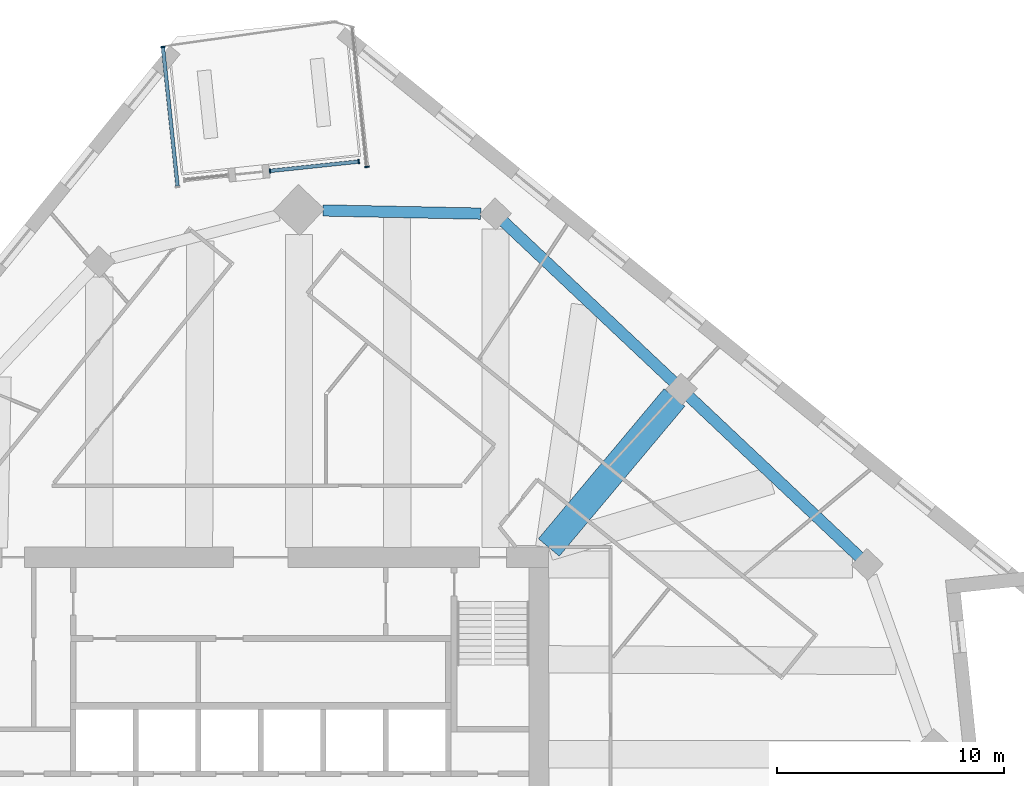
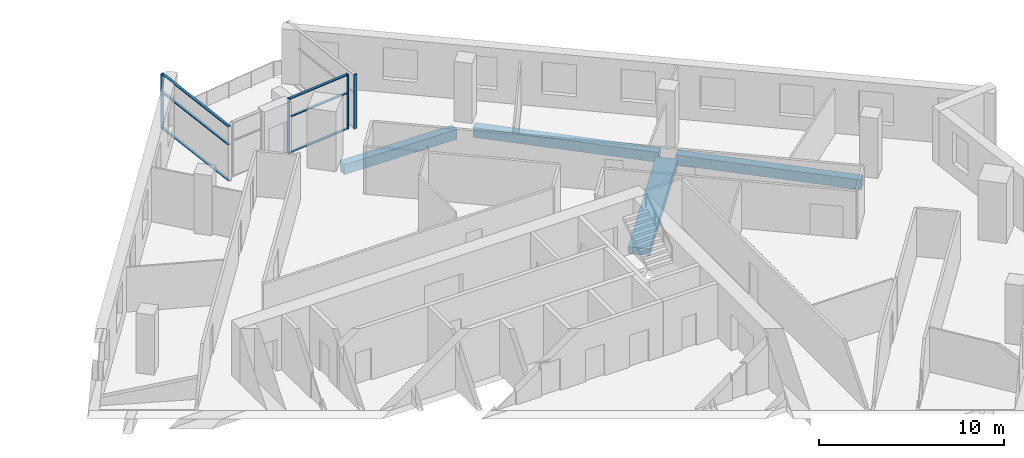
# One storey, part 4 of 14: 10 members, 4 beams, 3 elements without a shape of their own.
"""IFC4 building model written with IfcOpenShell, lengths in metres."""

from ifc_helpers import new_model, si_unit, direction, frame, origin, origin_2d, place, context, subcontext, project, spatial, rectangle, extrude, material, material_profile, profile_set, type_object, element, aggregate, save


model = new_model("IFC4")

# Units and contexts
model_context = context("Model", 3, precision=1e-05, world=origin(), true_north=direction((0.0, 1.0)))
body_context = subcontext(model_context, "Body", "Model", "MODEL_VIEW")
ifc_project = project(units=[si_unit("LENGTHUNIT", "METRE"), si_unit("AREAUNIT", "SQUARE_METRE"), si_unit("VOLUMEUNIT", "CUBIC_METRE"), si_unit("PLANEANGLEUNIT", "RADIAN"), si_unit("MASSUNIT", "GRAM", prefix="KILO")], contexts=[model_context])

# Site, building, storey
site_placement = place(None, origin())
site = spatial("IfcSite", under=ifc_project, at=site_placement, CompositionType="ELEMENT")
building_placement = place(site_placement, origin())
building = spatial("IfcBuilding", under=site, at=building_placement, Name="Dilmun Exchange Tower", CompositionType="ELEMENT")
storey_placement = place(building_placement, frame((0.0, 0.0, 225.300048828125)))
storey = spatial("IfcBuildingStorey", under=building, at=storey_placement, Name="L53", CompositionType="ELEMENT", Elevation=225.300048828125)

# Curtain wall, member
ifc_material_1 = material(Name="Anodised aluminium and clear glass", Category="aluminium")
curtain_wall_type = type_object("IfcCurtainWallType", Name="Garden corner glazing", PredefinedType="NOTDEFINED", material=ifc_material_1)
curtain_wall_1_placement = place(storey_placement, origin())
curtain_wall_1 = element("IfcCurtainWall", 1, at=curtain_wall_1_placement, inside=storey, type_object=curtain_wall_type, Name="Garden corner glazing run GC1.1", PredefinedType="NOTDEFINED")
ifc_material_2 = material(Name="Anodised aluminium", Category="aluminium")
ifc_material_profile_1 = material_profile(ifc_material_2, rectangle(XDim=0.199951171875, YDim=0.06005859375, at=origin_2d()), Name="AL 60x200")
ifc_profile_set_1 = profile_set([ifc_material_profile_1], Name="Anodised aluminium")
member_type_1 = type_object("IfcMemberType", Name="Garden corner glazing mullion 60 x 200", PredefinedType="MULLION", material=ifc_profile_set_1)
member_1_placement = place(storey_placement, frame((4.673583984375, 29.43505859375, 0.0), z_axis=(0.0, 0.0, 1.0), x_axis=(0.994520705874, 0.104539779931, 0.0)))
member_1 = element("IfcMember", 2, at=member_1_placement, type_object=member_type_1, Name="GC1.1 mullion 2", PredefinedType="MULLION", context=body_context, shape_type="SweptSolid", body=[
    extrude(rectangle(XDim=0.199951171875, YDim=0.06005859375, at=origin_2d()), origin(), (0.0, 0.0, 1.0), 3.619873046875),
])
aggregate(curtain_wall_1, [member_1])

# Curtain wall, members
curtain_wall_2_placement = place(storey_placement, origin())
curtain_wall_2 = element("IfcCurtainWall", 3, at=curtain_wall_2_placement, inside=storey, type_object=curtain_wall_type, Name="Garden corner glazing run GC2.1", PredefinedType="NOTDEFINED")
member_2_placement = place(storey_placement, frame((4.31689453125, 29.669189453125, 0.0), z_axis=(0.0, 0.0, 1.0), x_axis=(0.104536020157, -0.994521101078, 0.0)))
member_2 = element("IfcMember", 4, at=member_2_placement, type_object=member_type_1, Name="GC2.1 mullion 1", PredefinedType="MULLION", context=body_context, shape_type="SweptSolid", body=[
    extrude(rectangle(XDim=0.199951171875, YDim=0.06005859375, at=origin_2d()), origin(), (0.0, 0.0, 1.0), 3.619873046875),
])
member_3_placement = place(storey_placement, frame((0.409423828125, 29.258544921875, 0.0), z_axis=(0.0, 0.0, 1.0), x_axis=(0.104536020157, -0.994521101078, 0.0)))
member_3 = element("IfcMember", 5, at=member_3_placement, type_object=member_type_1, Name="GC2.1 mullion 2", PredefinedType="MULLION", context=body_context, shape_type="SweptSolid", body=[
    extrude(rectangle(XDim=0.199951171875, YDim=0.06005859375, at=origin_2d()), origin(), (0.0, 0.0, 1.0), 3.619873046875),
])

# Curtain wall, member
curtain_wall_3_placement = place(storey_placement, origin())
curtain_wall_3 = element("IfcCurtainWall", 6, at=curtain_wall_3_placement, inside=storey, type_object=curtain_wall_type, Name="Garden corner glazing run GC3.1", PredefinedType="NOTDEFINED")
member_4_placement = place(storey_placement, frame((-4.3056640625, 34.7119140625, 0.0), z_axis=(0.0, 0.0, 1.0), x_axis=(-0.994520705874, -0.104539779931, 0.0)))
member_4 = element("IfcMember", 7, at=member_4_placement, type_object=member_type_1, Name="GC3.1 mullion 2", PredefinedType="MULLION", context=body_context, shape_type="SweptSolid", body=[
    extrude(rectangle(XDim=0.199951171875, YDim=0.06005859375, at=origin_2d()), origin(), (0.0, 0.0, 1.0), 3.619873046875),
])

# Member
ifc_material_profile_2 = material_profile(ifc_material_2, rectangle(XDim=0.159912109375, YDim=0.06005859375, at=origin_2d()), Name="AL 60x160")
ifc_profile_set_2 = profile_set([ifc_material_profile_2], Name="Anodised aluminium")
member_type_2 = type_object("IfcMemberType", Name="Garden corner glazing transom 60 x 160", PredefinedType="USERDEFINED", material=ifc_profile_set_2)
member_5_placement = place(storey_placement, frame((4.287109375, 29.666015625, 0.030029296875), z_axis=(-0.994518929052, -0.104556682028, 0.0), x_axis=(0.104556682028, -0.994518929052, 0.0)))
member_5 = element("IfcMember", 8, at=member_5_placement, type_object=member_type_2, Name="GC2.1 transom 1.1", ObjectType="TRANSOM", PredefinedType="USERDEFINED", context=body_context, shape_type="SweptSolid", body=[
    extrude(rectangle(XDim=0.159912109375, YDim=0.06005859375, at=origin_2d()), origin(), (0.0, 0.0, 1.0), 3.869140625),
])

member_6_placement = place(storey_placement, frame((4.287109375, 29.666015625, 2.39990234375), z_axis=(-0.994518929052, -0.104556682028, 0.0), x_axis=(0.104556682028, -0.994518929052, 0.0)))
member_6 = element("IfcMember", 9, at=member_6_placement, type_object=member_type_2, Name="GC2.1 transom 1.2", ObjectType="TRANSOM", PredefinedType="USERDEFINED", context=body_context, shape_type="SweptSolid", body=[
    extrude(rectangle(XDim=0.159912109375, YDim=0.06005859375, at=origin_2d()), origin(), (0.0, 0.0, 1.0), 3.869140625),
])

member_7_placement = place(storey_placement, frame((4.287109375, 29.666015625, 3.58984375), z_axis=(-0.994518929052, -0.104556682028, 0.0), x_axis=(0.104556682028, -0.994518929052, 0.0)))
member_7 = element("IfcMember", 10, at=member_7_placement, type_object=member_type_2, Name="GC2.1 transom 1.3", ObjectType="TRANSOM", PredefinedType="USERDEFINED", context=body_context, shape_type="SweptSolid", body=[
    extrude(rectangle(XDim=0.159912109375, YDim=0.06005859375, at=origin_2d()), origin(), (0.0, 0.0, 1.0), 3.869140625),
])

aggregate(curtain_wall_2, [member_2, member_3, member_5, member_6, member_7])

member_8_placement = place(storey_placement, frame((-3.661865234375, 28.589111328125, 0.030029296875), z_axis=(-0.104564471724, 0.994518110068, 0.0), x_axis=(-0.994518110068, -0.104564471724, 0.0)))
member_8 = element("IfcMember", 11, at=member_8_placement, type_object=member_type_2, Name="GC3.1 transom 1.1", ObjectType="TRANSOM", PredefinedType="USERDEFINED", context=body_context, shape_type="SweptSolid", body=[
    extrude(rectangle(XDim=0.159912109375, YDim=0.06005859375, at=origin_2d()), origin(), (0.0, 0.0, 1.0), 6.126708984375),
])

member_9_placement = place(storey_placement, frame((-3.661865234375, 28.589111328125, 2.39990234375), z_axis=(-0.104564471724, 0.994518110068, 0.0), x_axis=(-0.994518110068, -0.104564471724, 0.0)))
member_9 = element("IfcMember", 12, at=member_9_placement, type_object=member_type_2, Name="GC3.1 transom 1.2", ObjectType="TRANSOM", PredefinedType="USERDEFINED", context=body_context, shape_type="SweptSolid", body=[
    extrude(rectangle(XDim=0.159912109375, YDim=0.06005859375, at=origin_2d()), origin(), (0.0, 0.0, 1.0), 6.126708984375),
])

member_10_placement = place(storey_placement, frame((-3.661865234375, 28.589111328125, 3.58984375), z_axis=(-0.104564471724, 0.994518110068, 0.0), x_axis=(-0.994518110068, -0.104564471724, 0.0)))
member_10 = element("IfcMember", 13, at=member_10_placement, type_object=member_type_2, Name="GC3.1 transom 1.3", ObjectType="TRANSOM", PredefinedType="USERDEFINED", context=body_context, shape_type="SweptSolid", body=[
    extrude(rectangle(XDim=0.159912109375, YDim=0.06005859375, at=origin_2d()), origin(), (0.0, 0.0, 1.0), 6.126708984375),
])

aggregate(curtain_wall_3, [member_4, member_8, member_9, member_10])

# Beams
ifc_material_3 = material(Name="Concrete C40/50", Category="concrete")
ifc_material_profile_3 = material_profile(ifc_material_3, rectangle(XDim=1.199951171875, YDim=0.449951171875, at=origin_2d()), Name="1200 x 450")
ifc_profile_set_3 = profile_set([ifc_material_profile_3], Name="Concrete C40/50")
beam_type_1 = type_object("IfcBeamType", Name="RC band beam 1200 x 450 C40/50", PredefinedType="BEAM", material=ifc_profile_set_3)
beam_1_placement = place(storey_placement, frame((18.2158203125, 19.28369140625, -0.705078125), z_axis=(-0.642200063897, -0.766537068856, 0.0), x_axis=(0.766537068856, -0.642200063897, 0.0)))
element("IfcBeam", 14, at=beam_1_placement, inside=storey, type_object=beam_type_1, Name="Band beam 15", PredefinedType="BEAM", context=body_context, shape_type="SweptSolid", body=[
    extrude(rectangle(XDim=1.199951171875, YDim=0.449951171875, at=origin_2d()), origin(), (0.0, 0.0, 1.0), 8.615966796875),
])
ifc_material_profile_4 = material_profile(ifc_material_3, rectangle(XDim=0.5, YDim=0.64990234375, at=origin_2d()), Name="500 x 650")
ifc_profile_set_4 = profile_set([ifc_material_profile_4], Name="Concrete C40/50")
beam_type_2 = type_object("IfcBeamType", Name="RC ring beam 500 x 650 C40/50", PredefinedType="SPANDREL", material=ifc_profile_set_4)
beam_2_placement = place(storey_placement, frame((26.36181640625, 12.25537109375, -0.705078125), z_axis=(-0.727685706374, 0.68591071776, 0.0), x_axis=(-0.68591071776, -0.727685706374, 0.0)))
element("IfcBeam", 15, at=beam_2_placement, inside=storey, type_object=beam_type_2, Name="Ring beam 14", PredefinedType="SPANDREL", context=body_context, shape_type="SweptSolid", body=[
    extrude(rectangle(XDim=0.5, YDim=0.64990234375, at=origin_2d()), origin(), (0.0, 0.0, 1.0), 10.30322265625),
])
beam_3_placement = place(storey_placement, frame((18.17578125, 19.971435546875, -0.705078125), z_axis=(-0.727682990869, 0.685913598641, 0.0), x_axis=(-0.685913598641, -0.727682990869, 0.0)))
element("IfcBeam", 16, at=beam_3_placement, inside=storey, type_object=beam_type_2, Name="Ring beam 15", PredefinedType="SPANDREL", context=body_context, shape_type="SweptSolid", body=[
    extrude(rectangle(XDim=0.5, YDim=0.64990234375, at=origin_2d()), origin(), (0.0, 0.0, 1.0), 10.3046875),
])
beam_4_placement = place(storey_placement, frame((9.685791015625, 27.376953125, -0.705078125), z_axis=(-0.999797424966, 0.020127320539, 0.0), x_axis=(-0.020127320539, -0.999797424966, 0.0)))
element("IfcBeam", 17, at=beam_4_placement, inside=storey, type_object=beam_type_2, Name="Ring beam 16", PredefinedType="SPANDREL", context=body_context, shape_type="SweptSolid", body=[
    extrude(rectangle(XDim=0.5, YDim=0.64990234375, at=origin_2d()), origin(), (0.0, 0.0, 1.0), 6.950439453125),
])

save(model, "model.ifc")
